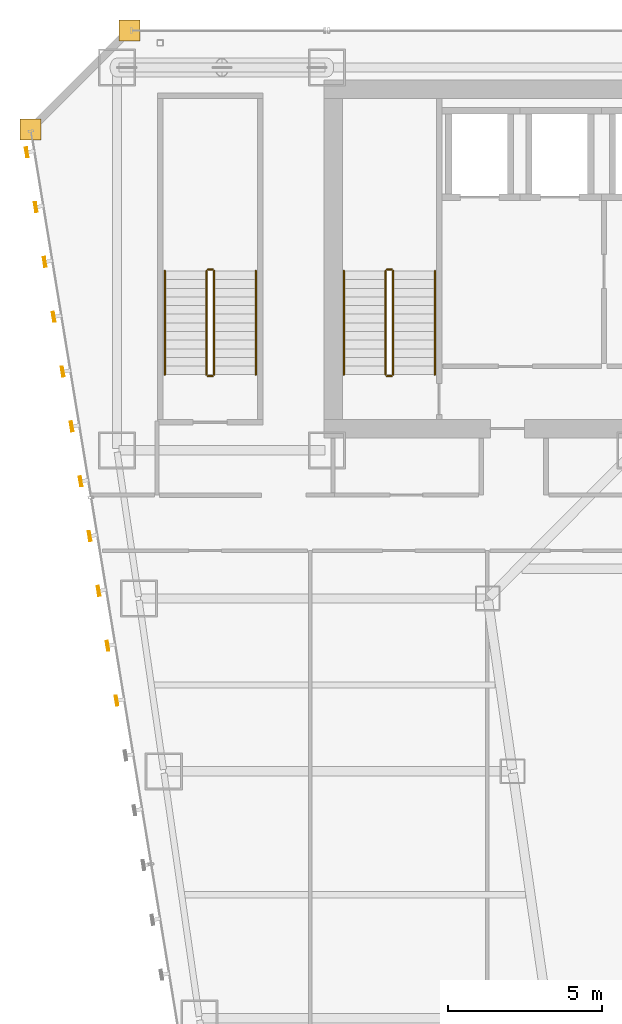
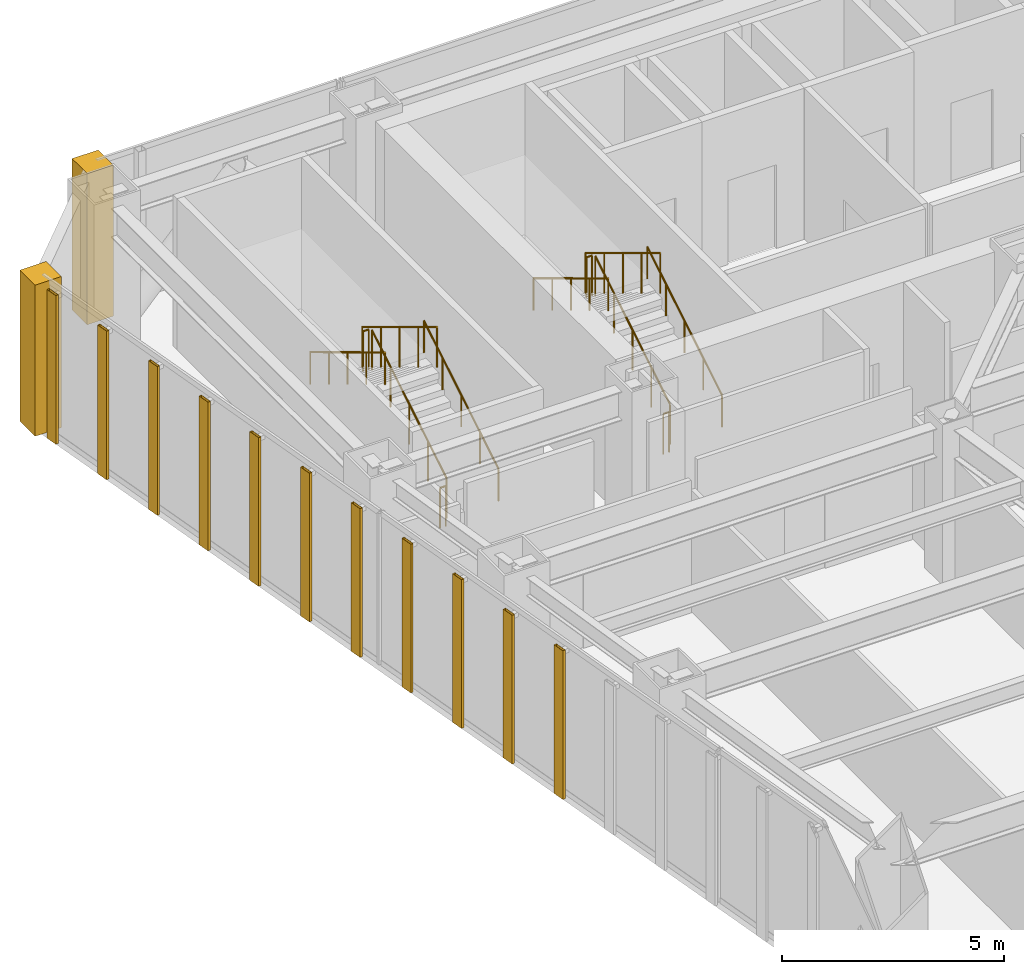
# One storey, part 46 of 47: 12 railings, 11 shading devices, 2 coverings.
"""IFC4 building model written with IfcOpenShell, lengths in metres."""

from ifc_helpers import new_model, si_unit, direction, frame, origin, origin_2d, place, context, subcontext, project, spatial, polyline, hollow_rectangle, circle, outline, extrude, material, layer, layer_set, material_profile, profile_set, type_object, element, save


model = new_model("IFC4")

# Units and contexts
model_context = context("Model", 3, precision=1e-05, world=origin(), true_north=direction((0.0, 1.0)))
body_context = subcontext(model_context, "Body", "Model", "MODEL_VIEW")
ifc_project = project(units=[si_unit("LENGTHUNIT", "METRE"), si_unit("AREAUNIT", "SQUARE_METRE"), si_unit("VOLUMEUNIT", "CUBIC_METRE"), si_unit("PLANEANGLEUNIT", "RADIAN"), si_unit("MASSUNIT", "GRAM", prefix="KILO")], contexts=[model_context])

# Site, building, storey
site_placement = place(None, origin())
site = spatial("IfcSite", under=ifc_project, at=site_placement, CompositionType="ELEMENT")
building_placement = place(site_placement, origin())
building = spatial("IfcBuilding", under=site, at=building_placement, Name="Saevonmaru Cultural Tower", CompositionType="ELEMENT")
storey_placement = place(building_placement, frame((0.0, 0.0, 51.60009765625)))
storey = spatial("IfcBuildingStorey", under=building, at=storey_placement, Name="L10", CompositionType="ELEMENT", Elevation=51.60009765625)

# Coverings
ifc_material_1 = material(Name="Satin Bronze Anodised Aluminium", Category="aluminium")
ifc_layer = layer(ifc_material_1, 0.679931640625, Name="Satin Bronze Anodised Aluminium")
ifc_layer_set = layer_set([ifc_layer], Name="Satin Bronze Anodised Aluminium")
covering_type = type_object("IfcCoveringType", Name="CV-CORNER-CLAD", PredefinedType="CLADDING", material=ifc_layer_set)
covering_1_placement = place(storey_placement, origin())
element("IfcCovering", 1, at=covering_1_placement, inside=storey, type_object=covering_type, Name="L10 Tower Bronze Corner Cladding Pier 11", PredefinedType="CLADDING", context=body_context, shape_type="SweptSolid", body=[
    extrude(outline(polyline([(6.860107421875, 55.659912109375), (7.5400390625, 55.659912109375), (7.5400390625, 56.340087890625), (6.860107421875, 56.340087890625), (6.860107421875, 55.659912109375)])), origin(), (0.0, 0.0, 1.0), 4.14990234375),
])
covering_2_placement = place(storey_placement, origin())
element("IfcCovering", 2, at=covering_2_placement, inside=storey, type_object=covering_type, Name="L10 Tower Bronze Corner Cladding Pier 12", PredefinedType="CLADDING", context=body_context, shape_type="SweptSolid", body=[
    extrude(outline(polyline([(3.659912109375, 52.4599609375), (4.340087890625, 52.4599609375), (4.340087890625, 53.139892578125), (3.659912109375, 53.139892578125), (3.659912109375, 52.4599609375)])), origin(), (0.0, 0.0, 1.0), 4.14990234375),
])

# Railings
ifc_material_2 = material(Name="Architectural Painted Steel", Category="steel")
railing_type_1 = type_object("IfcRailingType", Name="RL-STAIR-GUARD", PredefinedType="GUARDRAIL", material=ifc_material_2)
railing_1_placement = place(storey_placement, frame((15.75, 44.85009765625, 0.169189453125)))
element("IfcRailing", 3, at=railing_1_placement, inside=storey, type_object=railing_type_1, Name="L10 ST-1 stair guard 1", PredefinedType="GUARDRAIL", context=body_context, shape_type="SweptSolid", body=[
    extrude(circle(Radius=0.02392578125, at=origin_2d()), frame((0.0, 0.0, 1.09619140625), z_axis=(0.0, 0.855820338506, 0.51727318527), x_axis=(-1.0, 0.0, 0.0)), (0.0, 0.0, 1.0), 3.92578125),
    extrude(circle(Radius=0.02099609375, at=origin_2d()), origin(), (0.0, 0.0, 1.0), 1.072021484375),
    extrude(circle(Radius=0.02099609375, at=origin_2d()), frame((0.0, 0.83984375, 0.5078125)), (0.0, 0.0, 1.0), 1.072021484375),
    extrude(circle(Radius=0.02099609375, at=origin_2d()), frame((0.0, 1.679931640625, 1.015380859375)), (0.0, 0.0, 1.0), 1.072021484375),
    extrude(circle(Radius=0.02099609375, at=origin_2d()), frame((0.0, 2.52001953125, 1.52294921875)), (0.0, 0.0, 1.0), 1.072021484375),
    extrude(circle(Radius=0.02099609375, at=origin_2d()), frame((0.0, 3.35986328125, 2.03076171875)), (0.0, 0.0, 1.0), 1.072021484375),
])
railing_2_placement = place(storey_placement, frame((15.699951171875, 48.260009765625, 2.199951171875)))
element("IfcRailing", 4, at=railing_2_placement, inside=storey, type_object=railing_type_1, Name="L10 ST-1 stair guard 2", PredefinedType="GUARDRAIL", context=body_context, shape_type="SweptSolid", body=[
    extrude(circle(Radius=0.02392578125, at=origin_2d()), frame((0.0, 0.0, 1.09619140625), z_axis=(-1.0, 0.0, 0.0), x_axis=(0.0, -1.0, 0.0)), (0.0, 0.0, 1.0), 0.14990234375),
    extrude(circle(Radius=0.02099609375, at=origin_2d()), origin(), (0.0, 0.0, 1.0), 1.072021484375),
    extrude(circle(Radius=0.02099609375, at=origin_2d()), frame((-0.14990234375, 0.0, 0.0)), (0.0, 0.0, 1.0), 1.072021484375),
])
railing_3_placement = place(storey_placement, frame((15.5, 48.2099609375, 2.369140625)))
element("IfcRailing", 5, at=railing_3_placement, inside=storey, type_object=railing_type_1, Name="L10 ST-1 stair guard 3", PredefinedType="GUARDRAIL", context=body_context, shape_type="SweptSolid", body=[
    extrude(circle(Radius=0.02392578125, at=origin_2d()), frame((0.0, 0.0, 1.09619140625), z_axis=(0.0, -0.855820338506, 0.51727318527), x_axis=(1.0, 0.0, 0.0)), (0.0, 0.0, 1.0), 3.92578125),
    extrude(circle(Radius=0.02099609375, at=origin_2d()), origin(), (0.0, 0.0, 1.0), 1.072021484375),
    extrude(circle(Radius=0.02099609375, at=origin_2d()), frame((0.0, -0.83984375, 0.5078125)), (0.0, 0.0, 1.0), 1.072021484375),
    extrude(circle(Radius=0.02099609375, at=origin_2d()), frame((0.0, -1.679931640625, 1.015380859375)), (0.0, 0.0, 1.0), 1.072021484375),
    extrude(circle(Radius=0.02099609375, at=origin_2d()), frame((0.0, -2.52001953125, 1.52294921875)), (0.0, 0.0, 1.0), 1.072021484375),
    extrude(circle(Radius=0.02099609375, at=origin_2d()), frame((0.0, -3.35986328125, 2.03076171875)), (0.0, 0.0, 1.0), 1.072021484375),
])
railing_4_placement = place(storey_placement, frame((15.699951171875, 44.800048828125, 0.0)))
element("IfcRailing", 6, at=railing_4_placement, inside=storey, type_object=railing_type_1, Name="L10 ST-1 stair guard 4", PredefinedType="GUARDRAIL", context=body_context, shape_type="SweptSolid", body=[
    extrude(circle(Radius=0.02392578125, at=origin_2d()), frame((0.0, 0.0, 1.09619140625), z_axis=(-1.0, 0.0, 0.0), x_axis=(0.0, -1.0, 0.0)), (0.0, 0.0, 1.0), 0.14990234375),
    extrude(circle(Radius=0.02099609375, at=origin_2d()), origin(), (0.0, 0.0, 1.0), 1.072021484375),
    extrude(circle(Radius=0.02099609375, at=origin_2d()), frame((-0.14990234375, 0.0, 0.0)), (0.0, 0.0, 1.0), 1.072021484375),
])
railing_5_placement = place(storey_placement, frame((9.949951171875, 44.85009765625, 0.169189453125)))
element("IfcRailing", 7, at=railing_5_placement, inside=storey, type_object=railing_type_1, Name="L10 ST-3 stair guard 1", PredefinedType="GUARDRAIL", context=body_context, shape_type="SweptSolid", body=[
    extrude(circle(Radius=0.02392578125, at=origin_2d()), frame((0.0, 0.0, 1.09619140625), z_axis=(0.0, 0.855820338506, 0.51727318527), x_axis=(-1.0, 0.0, 0.0)), (0.0, 0.0, 1.0), 3.92578125),
    extrude(circle(Radius=0.02099609375, at=origin_2d()), origin(), (0.0, 0.0, 1.0), 1.072021484375),
    extrude(circle(Radius=0.02099609375, at=origin_2d()), frame((0.0, 0.83984375, 0.5078125)), (0.0, 0.0, 1.0), 1.072021484375),
    extrude(circle(Radius=0.02099609375, at=origin_2d()), frame((0.0, 1.679931640625, 1.015380859375)), (0.0, 0.0, 1.0), 1.072021484375),
    extrude(circle(Radius=0.02099609375, at=origin_2d()), frame((0.0, 2.52001953125, 1.52294921875)), (0.0, 0.0, 1.0), 1.072021484375),
    extrude(circle(Radius=0.02099609375, at=origin_2d()), frame((0.0, 3.35986328125, 2.03076171875)), (0.0, 0.0, 1.0), 1.072021484375),
])
railing_6_placement = place(storey_placement, frame((9.89990234375, 48.260009765625, 2.199951171875)))
element("IfcRailing", 8, at=railing_6_placement, inside=storey, type_object=railing_type_1, Name="L10 ST-3 stair guard 2", PredefinedType="GUARDRAIL", context=body_context, shape_type="SweptSolid", body=[
    extrude(circle(Radius=0.02392578125, at=origin_2d()), frame((0.0, 0.0, 1.09619140625), z_axis=(-1.0, 0.0, 0.0), x_axis=(0.0, -1.0, 0.0)), (0.0, 0.0, 1.0), 0.14990234375),
    extrude(circle(Radius=0.02099609375, at=origin_2d()), origin(), (0.0, 0.0, 1.0), 1.072021484375),
    extrude(circle(Radius=0.02099609375, at=origin_2d()), frame((-0.14990234375, 0.0, 0.0)), (0.0, 0.0, 1.0), 1.072021484375),
])
railing_7_placement = place(storey_placement, frame((9.699951171875, 48.2099609375, 2.369140625)))
element("IfcRailing", 9, at=railing_7_placement, inside=storey, type_object=railing_type_1, Name="L10 ST-3 stair guard 3", PredefinedType="GUARDRAIL", context=body_context, shape_type="SweptSolid", body=[
    extrude(circle(Radius=0.02392578125, at=origin_2d()), frame((0.0, 0.0, 1.09619140625), z_axis=(0.0, -0.855820338506, 0.51727318527), x_axis=(1.0, 0.0, 0.0)), (0.0, 0.0, 1.0), 3.92578125),
    extrude(circle(Radius=0.02099609375, at=origin_2d()), origin(), (0.0, 0.0, 1.0), 1.072021484375),
    extrude(circle(Radius=0.02099609375, at=origin_2d()), frame((0.0, -0.83984375, 0.5078125)), (0.0, 0.0, 1.0), 1.072021484375),
    extrude(circle(Radius=0.02099609375, at=origin_2d()), frame((0.0, -1.679931640625, 1.015380859375)), (0.0, 0.0, 1.0), 1.072021484375),
    extrude(circle(Radius=0.02099609375, at=origin_2d()), frame((0.0, -2.52001953125, 1.52294921875)), (0.0, 0.0, 1.0), 1.072021484375),
    extrude(circle(Radius=0.02099609375, at=origin_2d()), frame((0.0, -3.35986328125, 2.03076171875)), (0.0, 0.0, 1.0), 1.072021484375),
])
railing_8_placement = place(storey_placement, frame((9.89990234375, 44.800048828125, 0.0)))
element("IfcRailing", 10, at=railing_8_placement, inside=storey, type_object=railing_type_1, Name="L10 ST-3 stair guard 4", PredefinedType="GUARDRAIL", context=body_context, shape_type="SweptSolid", body=[
    extrude(circle(Radius=0.02392578125, at=origin_2d()), frame((0.0, 0.0, 1.09619140625), z_axis=(-1.0, 0.0, 0.0), x_axis=(0.0, -1.0, 0.0)), (0.0, 0.0, 1.0), 0.14990234375),
    extrude(circle(Radius=0.02099609375, at=origin_2d()), origin(), (0.0, 0.0, 1.0), 1.072021484375),
    extrude(circle(Radius=0.02099609375, at=origin_2d()), frame((-0.14990234375, 0.0, 0.0)), (0.0, 0.0, 1.0), 1.072021484375),
])
railing_type_2 = type_object("IfcRailingType", Name="RL-STAIR-HANDRAIL", PredefinedType="HANDRAIL", material=ifc_material_1)
railing_9_placement = place(storey_placement, frame((17.10009765625, 44.85009765625, 0.169189453125)))
element("IfcRailing", 11, at=railing_9_placement, inside=storey, type_object=railing_type_2, Name="L10 ST-1 stair handrail 1", PredefinedType="HANDRAIL", context=body_context, shape_type="SweptSolid", body=[
    extrude(circle(Radius=0.02392578125, at=origin_2d()), frame((0.0, 0.0, 0.8759765625), z_axis=(0.0, 0.855820338506, 0.51727318527), x_axis=(-1.0, 0.0, 0.0)), (0.0, 0.0, 1.0), 3.92578125),
    extrude(circle(Radius=0.02099609375, at=origin_2d()), origin(), (0.0, 0.0, 1.0), 0.851806640625),
    extrude(circle(Radius=0.02099609375, at=origin_2d()), frame((0.0, 0.83984375, 0.5078125)), (0.0, 0.0, 1.0), 0.851806640625),
    extrude(circle(Radius=0.02099609375, at=origin_2d()), frame((0.0, 1.679931640625, 1.015380859375)), (0.0, 0.0, 1.0), 0.851806640625),
    extrude(circle(Radius=0.02099609375, at=origin_2d()), frame((0.0, 2.52001953125, 1.52294921875)), (0.0, 0.0, 1.0), 0.851806640625),
    extrude(circle(Radius=0.02099609375, at=origin_2d()), frame((0.0, 3.35986328125, 2.03076171875)), (0.0, 0.0, 1.0), 0.851806640625),
])
railing_10_placement = place(storey_placement, frame((14.14990234375, 48.2099609375, 2.369140625)))
element("IfcRailing", 12, at=railing_10_placement, inside=storey, type_object=railing_type_2, Name="L10 ST-1 stair handrail 2", PredefinedType="HANDRAIL", context=body_context, shape_type="SweptSolid", body=[
    extrude(circle(Radius=0.02392578125, at=origin_2d()), frame((0.0, 0.0, 0.8759765625), z_axis=(0.0, -0.855820338506, 0.51727318527), x_axis=(1.0, 0.0, 0.0)), (0.0, 0.0, 1.0), 3.92578125),
    extrude(circle(Radius=0.02099609375, at=origin_2d()), origin(), (0.0, 0.0, 1.0), 0.851806640625),
    extrude(circle(Radius=0.02099609375, at=origin_2d()), frame((0.0, -0.83984375, 0.5078125)), (0.0, 0.0, 1.0), 0.851806640625),
    extrude(circle(Radius=0.02099609375, at=origin_2d()), frame((0.0, -1.679931640625, 1.015380859375)), (0.0, 0.0, 1.0), 0.851806640625),
    extrude(circle(Radius=0.02099609375, at=origin_2d()), frame((0.0, -2.52001953125, 1.52294921875)), (0.0, 0.0, 1.0), 0.851806640625),
    extrude(circle(Radius=0.02099609375, at=origin_2d()), frame((0.0, -3.35986328125, 2.03076171875)), (0.0, 0.0, 1.0), 0.851806640625),
])
railing_11_placement = place(storey_placement, frame((11.300048828125, 44.85009765625, 0.169189453125)))
element("IfcRailing", 13, at=railing_11_placement, inside=storey, type_object=railing_type_2, Name="L10 ST-3 stair handrail 1", PredefinedType="HANDRAIL", context=body_context, shape_type="SweptSolid", body=[
    extrude(circle(Radius=0.02392578125, at=origin_2d()), frame((0.0, 0.0, 0.8759765625), z_axis=(0.0, 0.855820338506, 0.51727318527), x_axis=(-1.0, 0.0, 0.0)), (0.0, 0.0, 1.0), 3.92578125),
    extrude(circle(Radius=0.02099609375, at=origin_2d()), origin(), (0.0, 0.0, 1.0), 0.851806640625),
    extrude(circle(Radius=0.02099609375, at=origin_2d()), frame((0.0, 0.83984375, 0.5078125)), (0.0, 0.0, 1.0), 0.851806640625),
    extrude(circle(Radius=0.02099609375, at=origin_2d()), frame((0.0, 1.679931640625, 1.015380859375)), (0.0, 0.0, 1.0), 0.851806640625),
    extrude(circle(Radius=0.02099609375, at=origin_2d()), frame((0.0, 2.52001953125, 1.52294921875)), (0.0, 0.0, 1.0), 0.851806640625),
    extrude(circle(Radius=0.02099609375, at=origin_2d()), frame((0.0, 3.35986328125, 2.03076171875)), (0.0, 0.0, 1.0), 0.851806640625),
])
railing_12_placement = place(storey_placement, frame((8.35009765625, 48.2099609375, 2.369140625)))
element("IfcRailing", 14, at=railing_12_placement, inside=storey, type_object=railing_type_2, Name="L10 ST-3 stair handrail 2", PredefinedType="HANDRAIL", context=body_context, shape_type="SweptSolid", body=[
    extrude(circle(Radius=0.02392578125, at=origin_2d()), frame((0.0, 0.0, 0.8759765625), z_axis=(0.0, -0.855820338506, 0.51727318527), x_axis=(1.0, 0.0, 0.0)), (0.0, 0.0, 1.0), 3.92578125),
    extrude(circle(Radius=0.02099609375, at=origin_2d()), origin(), (0.0, 0.0, 1.0), 0.851806640625),
    extrude(circle(Radius=0.02099609375, at=origin_2d()), frame((0.0, -0.83984375, 0.5078125)), (0.0, 0.0, 1.0), 0.851806640625),
    extrude(circle(Radius=0.02099609375, at=origin_2d()), frame((0.0, -1.679931640625, 1.015380859375)), (0.0, 0.0, 1.0), 0.851806640625),
    extrude(circle(Radius=0.02099609375, at=origin_2d()), frame((0.0, -2.52001953125, 1.52294921875)), (0.0, 0.0, 1.0), 0.851806640625),
    extrude(circle(Radius=0.02099609375, at=origin_2d()), frame((0.0, -3.35986328125, 2.03076171875)), (0.0, 0.0, 1.0), 0.851806640625),
])

# Shading devices
ifc_material_profile = material_profile(ifc_material_1, hollow_rectangle(XDim=0.070068359375, YDim=0.320068359375, WallThickness=0.0048828125, at=origin_2d()), Name="FIN-320x70")
ifc_profile_set = profile_set([ifc_material_profile], Name="Satin Bronze Anodised Aluminium")
shading_device_type = type_object("IfcShadingDeviceType", Name="SHD-FIN-320", PredefinedType="JALOUSIE", material=ifc_profile_set)
for number, where, z_axis, x_axis, name in (
    (15, (3.879150390625, 52.05322265625, 0.0498046875), (0.0, 0.0, 1.0), (-0.986827496189, -0.161776057456, 0.0), "L10 Art Deco Sawtooth Bronze Fin E12-01"),
    (16, (4.170166015625, 50.27685546875, 0.0498046875), (0.0, 0.0, 1.0), (-0.986827496189, -0.161776057456, 0.0), "L10 Art Deco Sawtooth Bronze Fin E12-02"),
    (17, (4.461181640625, 48.50048828125, 0.0498046875), (0.0, 0.0, 1.0), (-0.986827496189, -0.161776057456, 0.0), "L10 Art Deco Sawtooth Bronze Fin E12-03"),
    (18, (4.75244140625, 46.724365234375, 0.0498046875), (0.0, 0.0, 1.0), (-0.986827496189, -0.161776057456, 0.0), "L10 Art Deco Sawtooth Bronze Fin E12-04"),
    (19, (5.04345703125, 44.947998046875, 0.0498046875), (0.0, 0.0, 1.0), (-0.986827496189, -0.161776057456, 0.0), "L10 Art Deco Sawtooth Bronze Fin E12-05"),
    (20, (5.334716796875, 43.171630859375, 0.0498046875), (0.0, 0.0, 1.0), (-0.986827496189, -0.161776057456, 0.0), "L10 Art Deco Sawtooth Bronze Fin E12-06"),
    (21, (5.62548828125, 41.3955078125, 0.0498046875), (0.0, 0.0, 1.0), (-0.986827496189, -0.161776057456, 0.0), "L10 Art Deco Sawtooth Bronze Fin E12-07"),
    (22, (5.916748046875, 39.618896484375, 0.0498046875), (0.0, 0.0, 1.0), (-0.986827496189, -0.161776057456, 0.0), "L10 Art Deco Sawtooth Bronze Fin E12-08"),
    (23, (6.207763671875, 37.8427734375, 0.0498046875), (0.0, 0.0, 1.0), (-0.986827496189, -0.161776057456, 0.0), "L10 Art Deco Sawtooth Bronze Fin E12-09"),
    (24, (6.498779296875, 36.06640625, 0.0498046875), (0.0, 0.0, 1.0), (-0.986827496189, -0.161776057456, 0.0), "L10 Art Deco Sawtooth Bronze Fin E12-10"),
    (25, (6.789794921875, 34.2900390625, 0.0498046875), (0.0, 0.0, 1.0), (-0.986827496189, -0.161776057456, 0.0), "L10 Art Deco Sawtooth Bronze Fin E12-11"),
):
    element("IfcShadingDevice", number, at=place(storey_placement, frame(where, z_axis=z_axis, x_axis=x_axis)), inside=storey, type_object=shading_device_type, Name=name, PredefinedType="JALOUSIE", context=body_context, shape_type="SweptSolid", body=[
        extrude(hollow_rectangle(XDim=0.070068359375, YDim=0.320068359375, WallThickness=0.0048828125, at=origin_2d()), origin(), (0.0, 0.0, 1.0), 4.080078125),
    ])

save(model, "model.ifc")
